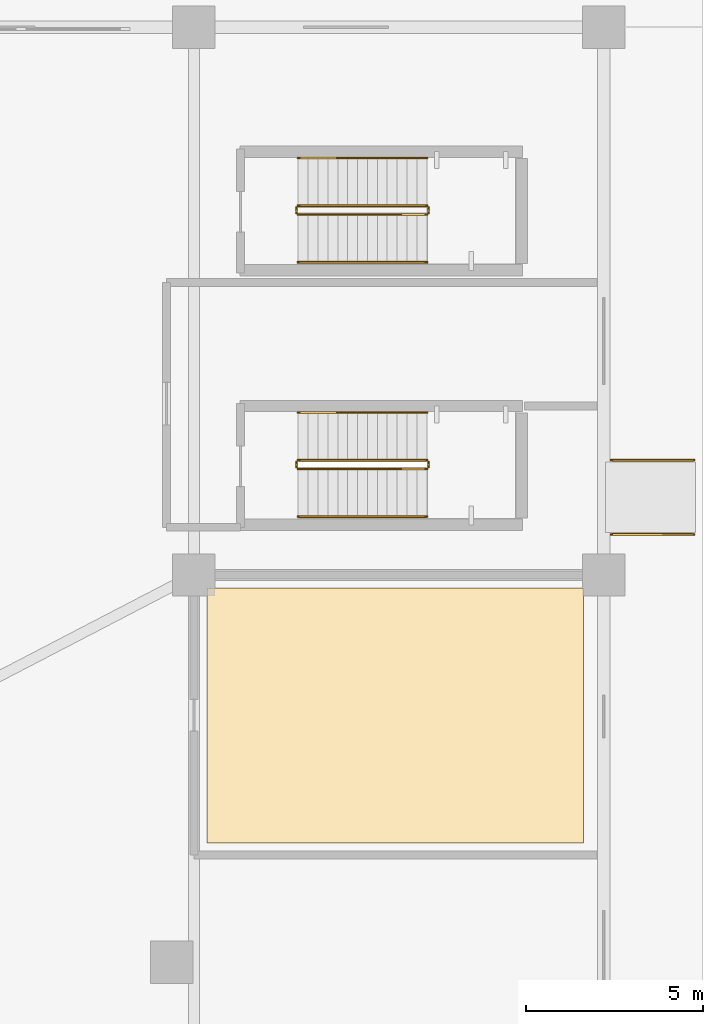
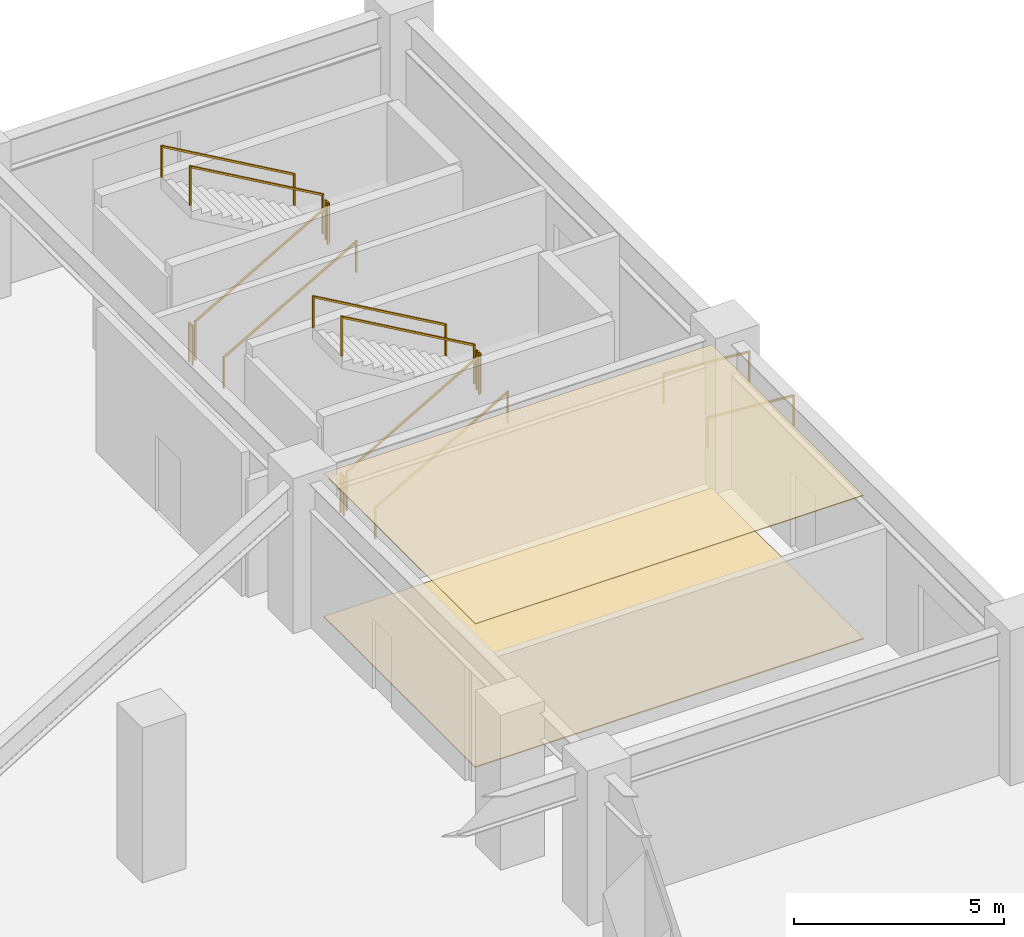
# One storey, part 17 of 18: 14 railings, 2 coverings.
"""IFC4 building model written with IfcOpenShell, lengths in metres."""

import ifcopenshell
import ifcopenshell.guid

model = None  # the IFC model being written
_history = None  # IfcOwnerHistory: only IFC2X3 demands one
_inside = {}  # id of a spatial element -> (the spatial element, [elements in it])
_under = {}  # id of a project, library or spatial element -> (it, [spatial elements below it])
_declared = {}  # id of a project -> (the project, [libraries it declares])
_typed = {}  # id of a type object -> (the type object, [elements of that type])
_made_of = {}  # id of a material, layer set ... -> (it, [elements and type objects made of it])


def new_model(schema):
    """Start an empty IFC model of exactly this schema.

    Asked for "IFC4X3", IfcOpenShell would pick the latest addendum, in which some entities
    have other attributes; the version numbers below select the first issue.
    IFC2X3 requires an IfcOwnerHistory on every rooted entity: one is made here for all.
    """
    global model, _history
    if schema == "IFC4X3":
        model = ifcopenshell.file(schema_version=(4, 3, 0, 0))
    else:
        model = ifcopenshell.file(schema=schema)
    _inside.clear()
    _under.clear()
    _declared.clear()
    _typed.clear()
    _made_of.clear()
    _history = None
    if model.schema == "IFC2X3":
        org = make("IfcOrganization", Name="unknown")
        user = make(
            "IfcPersonAndOrganization",
            ThePerson=make("IfcPerson", FamilyName="unknown"),
            TheOrganization=org,
        )
        app = make(
            "IfcApplication",
            ApplicationDeveloper=org,
            Version="unknown",
            ApplicationFullName="unknown",
            ApplicationIdentifier="unknown",
        )
        _history = make(
            "IfcOwnerHistory",
            OwningUser=user,
            OwningApplication=app,
            ChangeAction="ADDED",
            CreationDate=0,
        )
    return model


def make(cls, **values):
    """One entity of the class cls with the attributes given. An attribute that is None is left unset."""
    return model.create_entity(
        cls, **{name: value for name, value in values.items() if value is not None}
    )


def rooted(cls, **values):
    """An entity with a GlobalId (a new one), such as an element, a storey or a relation."""
    return make(cls, GlobalId=ifcopenshell.guid.new(), OwnerHistory=_history, **values)


def si_unit(unit_type, name, prefix=None):
    """IfcSIUnit, for example si_unit("LENGTHUNIT", "METRE", prefix="MILLI")."""
    return make("IfcSIUnit", UnitType=unit_type, Prefix=prefix, Name=name)


def assignment(units):
    """IfcUnitAssignment: the units of a project."""
    return None if units is None else make("IfcUnitAssignment", Units=units)


def point(xyz):
    """IfcCartesianPoint."""
    return None if xyz is None else make("IfcCartesianPoint", Coordinates=xyz)


def direction(xyz):
    """IfcDirection."""
    return None if xyz is None else make("IfcDirection", DirectionRatios=xyz)


def frame(location, z_axis=None, x_axis=None):
    """IfcAxis2Placement3D, a coordinate frame: its origin and axes. An axis left out is left unset."""
    return make(
        "IfcAxis2Placement3D",
        Location=point(location),
        Axis=direction(z_axis),
        RefDirection=direction(x_axis),
    )


def frame_2d(location, x_axis=None):
    """IfcAxis2Placement2D, a coordinate frame in the plane: its origin and x axis."""
    return make(
        "IfcAxis2Placement2D", Location=point(location), RefDirection=direction(x_axis)
    )


def origin():
    """The frame at (0, 0, 0) with its axes left unset."""
    return frame((0.0, 0.0, 0.0))


def origin_2d():
    """The frame at (0, 0) in the plane with its x axis left unset."""
    return frame_2d((0.0, 0.0))


def place(relative_to, where):
    """IfcLocalPlacement: puts the frame where relative to a parent placement (None: the world)."""
    return make(
        "IfcLocalPlacement", PlacementRelTo=relative_to, RelativePlacement=where
    )


def context(
    kind, dimensions, precision=None, world=None, true_north=None, identifier=None
):
    """IfcGeometricRepresentationContext, for example the 3D "Model" context."""
    return make(
        "IfcGeometricRepresentationContext",
        ContextIdentifier=identifier,
        ContextType=kind,
        CoordinateSpaceDimension=dimensions,
        Precision=precision,
        WorldCoordinateSystem=world,
        TrueNorth=true_north,
    )


def subcontext(parent, identifier, kind, view, scale=None):
    """IfcGeometricRepresentationSubContext, for example "Body" below "Model"."""
    return make(
        "IfcGeometricRepresentationSubContext",
        ContextIdentifier=identifier,
        ContextType=kind,
        ParentContext=parent,
        TargetScale=scale,
        TargetView=view,
    )


def project(units=None, contexts=None):
    """IfcProject with its units and contexts."""
    return rooted(
        "IfcProject",
        Name="project",
        RepresentationContexts=contexts,
        UnitsInContext=assignment(units),
    )


def spatial(cls, under=None, at=None, **own):
    """A site, building, storey or space (cls), placed at a placement, below another one or the project."""
    s = rooted(cls, ObjectPlacement=at, **own)
    if under is not None:
        _under.setdefault(under.id(), (under, []))[1].append(s)
    return s


def polyline(points):
    """IfcPolyline through the points."""
    return make("IfcPolyline", Points=[point(p) for p in points])


def profile(cls, at=None, kind="AREA", **sizes):
    """A parametric profile (cls). Its sizes go by their IFC names, for example OverallWidth=200.0."""
    return make(cls, ProfileType=kind, Position=at, **sizes)


def rectangle(**sizes):
    """IfcRectangleProfileDef."""
    return profile("IfcRectangleProfileDef", **sizes)


def outline(outer, holes=None, kind="AREA"):
    """IfcArbitraryClosedProfileDef: a profile drawn as a closed curve; with holes, ...WithVoids."""
    if holes is None:
        return make("IfcArbitraryClosedProfileDef", ProfileType=kind, OuterCurve=outer)
    return make(
        "IfcArbitraryProfileDefWithVoids",
        ProfileType=kind,
        OuterCurve=outer,
        InnerCurves=holes,
    )


def extrude(swept, where, along, depth):
    """IfcExtrudedAreaSolid: the profile swept, set in the frame where, extruded along a direction by depth."""
    return make(
        "IfcExtrudedAreaSolid",
        SweptArea=swept,
        Position=where,
        ExtrudedDirection=direction(along),
        Depth=depth,
    )


def shape(context_of_items, identifier, shape_type, items):
    """IfcShapeRepresentation: the items that make up one representation, for example the "Body"."""
    return make(
        "IfcShapeRepresentation",
        ContextOfItems=context_of_items,
        RepresentationIdentifier=identifier,
        RepresentationType=shape_type,
        Items=items,
    )


def material(Name=None, Category=None):
    """IfcMaterial."""
    return make("IfcMaterial", Name=Name, Category=Category)


def layer(
    of_material, thickness, ventilated=None, Name=None, Category=None, Priority=None
):
    """IfcMaterialLayer: one layer of a wall or slab, of a material (None: an air gap)."""
    return make(
        "IfcMaterialLayer",
        Material=of_material,
        LayerThickness=thickness,
        IsVentilated=ventilated,
        Name=Name,
        Category=Category,
        Priority=Priority,
    )


def layer_set(layers, Name=None):
    """IfcMaterialLayerSet."""
    return make("IfcMaterialLayerSet", MaterialLayers=layers, LayerSetName=Name)


def made_of(thing, what):
    """Note that an element or type object is made of a material, layer set ...; save() writes the relation."""
    if what is not None:
        _made_of.setdefault(what.id(), (what, []))[1].append(thing)
    return thing


def type_object(cls, material=None, **own):
    """A type object (cls), such as IfcWallType, which elements share."""
    return made_of(rooted(cls, **own), material)


def element(
    cls,
    number,
    at=None,
    inside=None,
    cuts=None,
    type_object=None,
    material=None,
    context=None,
    identifier="Body",
    shape_type=None,
    held_by="IfcProductDefinitionShape",
    body=None,
    shapes=None,
    **own,
):
    """One element of the class cls, such as IfcWall. Its Tag is "e" and its number.

    at: its placement. inside: the storey or other place that contains it. cuts: it is an
    opening in that element (IfcRelVoidsElement). A single representation is given by context,
    identifier, shape_type and body (its items); several are given by shapes. held_by: the class
    of the entity that holds the representations. save() writes the other relations.
    """
    e = rooted(cls, Tag="e%d" % number, ObjectPlacement=at, **own)
    if body is not None:
        shapes = [shape(context, identifier, shape_type, body)]
    if shapes is not None:
        e.Representation = make(held_by, Representations=shapes)
    if inside is not None:
        _inside.setdefault(inside.id(), (inside, []))[1].append(e)
    if cuts is not None:
        rooted(
            "IfcRelVoidsElement", RelatingBuildingElement=cuts, RelatedOpeningElement=e
        )
    if type_object is not None:
        _typed.setdefault(type_object.id(), (type_object, []))[1].append(e)
    return made_of(e, material)


def aggregate(whole, parts):
    """IfcRelAggregates: a whole, such as a stair, and the parts it consists of."""
    return rooted("IfcRelAggregates", RelatingObject=whole, RelatedObjects=parts)


def save(model, path):
    """Write the relations noted so far, then the file.

    IfcRelAggregates (storeys below a building ...), IfcRelContainedInSpatialStructure (elements
    in a storey), IfcRelDefinesByType, IfcRelAssociatesMaterial and IfcRelDeclares: one each for
    every whole, place, type object, material and project.
    """
    for whole, parts in _under.values():
        aggregate(whole, parts)
    for where, things in _inside.values():
        rooted(
            "IfcRelContainedInSpatialStructure",
            RelatedElements=things,
            RelatingStructure=where,
        )
    for kind, things in _typed.values():
        rooted("IfcRelDefinesByType", RelatedObjects=things, RelatingType=kind)
    for what, things in _made_of.values():
        rooted("IfcRelAssociatesMaterial", RelatedObjects=things, RelatingMaterial=what)
    for by, libraries in _declared.values():
        rooted("IfcRelDeclares", RelatingContext=by, RelatedDefinitions=libraries)
    model.write(path)


model = new_model("IFC4")

# Units and contexts
model_context = context("Model", 3, precision=1e-05, world=origin(), true_north=direction((0.0, 1.0)))
body_context = subcontext(model_context, "Body", "Model", "MODEL_VIEW")
ifc_project = project(units=[si_unit("LENGTHUNIT", "METRE"), si_unit("AREAUNIT", "SQUARE_METRE"), si_unit("VOLUMEUNIT", "CUBIC_METRE"), si_unit("PLANEANGLEUNIT", "RADIAN"), si_unit("MASSUNIT", "GRAM", prefix="KILO")], contexts=[model_context])

# Site, building, storey
site_placement = place(None, origin())
site = spatial("IfcSite", under=ifc_project, at=site_placement, CompositionType="ELEMENT")
building_placement = place(site_placement, origin())
building = spatial("IfcBuilding", under=site, at=building_placement, Name="Yunling Apex Tower", CompositionType="ELEMENT")
storey_placement = place(building_placement, origin())
storey = spatial("IfcBuildingStorey", under=building, at=storey_placement, Name="L01", CompositionType="ELEMENT", Elevation=0.0)

# Coverings
ifc_material_1 = material(Name="Acoustic mineral fibre ceiling")
ifc_layer_1 = layer(ifc_material_1, 0.02490234375)
ifc_layer_set_1 = layer_set([ifc_layer_1], Name="Acoustic mineral fibre ceiling")
covering_type_1 = type_object("IfcCoveringType", Name="CV-CLG-1", PredefinedType="CEILING", material=ifc_layer_set_1)
covering_1_placement = place(storey_placement, frame((0.0, 0.0, 4.1650390625)))
element("IfcCovering", 1, at=covering_1_placement, inside=storey, type_object=covering_type_1, Name="CV-CL-SP-L01-FCC", PredefinedType="CEILING", context=body_context, shape_type="SweptSolid", body=[
    extrude(outline(polyline([(33.429931640625, 6.419921875), (22.77001953125, 6.419921875), (22.77001953125, 13.6298828125), (33.429931640625, 13.6298828125), (33.429931640625, 6.419921875)])), origin(), (0.0, 0.0, 1.0), 0.02490234375),
])
ifc_material_2 = material(Name="Polished granite stone", Category="masonry")
ifc_layer_2 = layer(ifc_material_2, 0.030029296875)
ifc_layer_set_2 = layer_set([ifc_layer_2], Name="Polished granite stone")
covering_type_2 = type_object("IfcCoveringType", Name="CV-FLR-1", PredefinedType="FLOORING", material=ifc_layer_set_2)
covering_2_placement = place(storey_placement, origin())
element("IfcCovering", 2, at=covering_2_placement, inside=storey, type_object=covering_type_2, Name="CV-FL-SP-L01-FCC", PredefinedType="FLOORING", context=body_context, shape_type="SweptSolid", body=[
    extrude(outline(polyline([(33.429931640625, 6.419921875), (22.77001953125, 6.419921875), (22.77001953125, 13.6298828125), (33.429931640625, 13.6298828125), (33.429931640625, 6.419921875)])), origin(), (0.0, 0.0, 1.0), 0.030029296875),
])

# Railings
ifc_material_3 = material(Name="Steel Q355B", Category="steel")
railing_type_1 = type_object("IfcRailingType", Name="RL-GRD-1150", PredefinedType="GUARDRAIL", material=ifc_material_3)
railing_1_placement = place(storey_placement, frame((25.35009765625, 17.0, 0.16064453125)))
element("IfcRailing", 3, at=railing_1_placement, inside=storey, type_object=railing_type_1, Name="L01 ST-P2 stair guard 1", PredefinedType="GUARDRAIL", context=body_context, shape_type="SweptSolid", body=[
    extrude(rectangle(XDim=0.0439453125, YDim=0.0439453125, at=origin_2d()), origin(), (0.0, 0.0, 1.0), 1.14990234375),
    extrude(rectangle(XDim=0.0439453125, YDim=0.0439453125, at=origin_2d()), frame((3.639892578125, 0.0, 2.08935546875)), (0.0, 0.0, 1.0), 1.14990234375),
    extrude(rectangle(XDim=0.050048828125, YDim=0.050048828125, at=origin_2d()), frame((0.033203125, 0.0, 1.14404296875), z_axis=(0.8672749571, 0.0, 0.497829437445), x_axis=(0.0, 1.0, 0.0)), (0.0, 0.0, 1.0), 4.120361328125),
])
railing_2_placement = place(storey_placement, frame((29.0400390625, 17.050048828125, 2.25)))
element("IfcRailing", 4, at=railing_2_placement, inside=storey, type_object=railing_type_1, Name="L01 ST-P2 stair guard 2", PredefinedType="GUARDRAIL", context=body_context, shape_type="SweptSolid", body=[
    extrude(rectangle(XDim=0.0439453125, YDim=0.0439453125, at=origin_2d()), origin(), (0.0, 0.0, 1.0), 1.14990234375),
    extrude(rectangle(XDim=0.0439453125, YDim=0.0439453125, at=origin_2d()), frame((0.0, 0.14990234375, 0.0)), (0.0, 0.0, 1.0), 1.14990234375),
    extrude(rectangle(XDim=0.050048828125, YDim=0.050048828125, at=origin_2d()), frame((0.0, 0.038330078125, 1.125), z_axis=(0.0, 1.0, 0.0), x_axis=(-1.0, 0.0, 0.0)), (0.0, 0.0, 1.0), 0.0732421875),
])
railing_3_placement = place(storey_placement, frame((28.989990234375, 17.25, 2.41064453125)))
element("IfcRailing", 5, at=railing_3_placement, inside=storey, type_object=railing_type_1, Name="L01 ST-P2 stair guard 3", PredefinedType="GUARDRAIL", context=body_context, shape_type="SweptSolid", body=[
    extrude(rectangle(XDim=0.0439453125, YDim=0.0439453125, at=origin_2d()), origin(), (0.0, 0.0, 1.0), 1.14990234375),
    extrude(rectangle(XDim=0.0439453125, YDim=0.0439453125, at=origin_2d()), frame((-3.639892578125, 0.0, 2.08935546875)), (0.0, 0.0, 1.0), 1.14990234375),
    extrude(rectangle(XDim=0.050048828125, YDim=0.050048828125, at=origin_2d()), frame((-0.033203125, 0.0, 1.14404296875), z_axis=(-0.8672749571, 0.0, 0.497829437445), x_axis=(0.0, -1.0, 0.0)), (0.0, 0.0, 1.0), 4.120361328125),
])
railing_4_placement = place(storey_placement, frame((25.300048828125, 17.050048828125, 0.0)))
element("IfcRailing", 6, at=railing_4_placement, inside=storey, type_object=railing_type_1, Name="L01 ST-P2 stair guard 4", PredefinedType="GUARDRAIL", context=body_context, shape_type="SweptSolid", body=[
    extrude(rectangle(XDim=0.0439453125, YDim=0.0439453125, at=origin_2d()), origin(), (0.0, 0.0, 1.0), 1.14990234375),
    extrude(rectangle(XDim=0.0439453125, YDim=0.0439453125, at=origin_2d()), frame((0.0, 0.14990234375, 0.0)), (0.0, 0.0, 1.0), 1.14990234375),
    extrude(rectangle(XDim=0.050048828125, YDim=0.050048828125, at=origin_2d()), frame((0.0, 0.038330078125, 1.125), z_axis=(0.0, 1.0, 0.0), x_axis=(-1.0, 0.0, 0.0)), (0.0, 0.0, 1.0), 0.0732421875),
])
railing_5_placement = place(storey_placement, frame((25.35009765625, 24.199951171875, 0.16064453125)))
element("IfcRailing", 7, at=railing_5_placement, inside=storey, type_object=railing_type_1, Name="L01 ST-G2 stair guard 1", PredefinedType="GUARDRAIL", context=body_context, shape_type="SweptSolid", body=[
    extrude(rectangle(XDim=0.0439453125, YDim=0.0439453125, at=origin_2d()), origin(), (0.0, 0.0, 1.0), 1.14990234375),
    extrude(rectangle(XDim=0.0439453125, YDim=0.0439453125, at=origin_2d()), frame((3.639892578125, 0.0, 2.08935546875)), (0.0, 0.0, 1.0), 1.14990234375),
    extrude(rectangle(XDim=0.050048828125, YDim=0.050048828125, at=origin_2d()), frame((0.033203125, 0.0, 1.14404296875), z_axis=(0.8672749571, 0.0, 0.497829437445), x_axis=(0.0, 1.0, 0.0)), (0.0, 0.0, 1.0), 4.120361328125),
])
railing_6_placement = place(storey_placement, frame((29.0400390625, 24.25, 2.25)))
element("IfcRailing", 8, at=railing_6_placement, inside=storey, type_object=railing_type_1, Name="L01 ST-G2 stair guard 2", PredefinedType="GUARDRAIL", context=body_context, shape_type="SweptSolid", body=[
    extrude(rectangle(XDim=0.0439453125, YDim=0.0439453125, at=origin_2d()), origin(), (0.0, 0.0, 1.0), 1.14990234375),
    extrude(rectangle(XDim=0.0439453125, YDim=0.0439453125, at=origin_2d()), frame((0.0, 0.14990234375, 0.0)), (0.0, 0.0, 1.0), 1.14990234375),
    extrude(rectangle(XDim=0.050048828125, YDim=0.050048828125, at=origin_2d()), frame((0.0, 0.038330078125, 1.125), z_axis=(0.0, 1.0, 0.0), x_axis=(-1.0, 0.0, 0.0)), (0.0, 0.0, 1.0), 0.0732421875),
])
railing_7_placement = place(storey_placement, frame((28.989990234375, 24.449951171875, 2.41064453125)))
element("IfcRailing", 9, at=railing_7_placement, inside=storey, type_object=railing_type_1, Name="L01 ST-G2 stair guard 3", PredefinedType="GUARDRAIL", context=body_context, shape_type="SweptSolid", body=[
    extrude(rectangle(XDim=0.0439453125, YDim=0.0439453125, at=origin_2d()), origin(), (0.0, 0.0, 1.0), 1.14990234375),
    extrude(rectangle(XDim=0.0439453125, YDim=0.0439453125, at=origin_2d()), frame((-3.639892578125, 0.0, 2.08935546875)), (0.0, 0.0, 1.0), 1.14990234375),
    extrude(rectangle(XDim=0.050048828125, YDim=0.050048828125, at=origin_2d()), frame((-0.033203125, 0.0, 1.14404296875), z_axis=(-0.8672749571, 0.0, 0.497829437445), x_axis=(0.0, -1.0, 0.0)), (0.0, 0.0, 1.0), 4.120361328125),
])
railing_8_placement = place(storey_placement, frame((25.300048828125, 24.25, 0.0)))
element("IfcRailing", 10, at=railing_8_placement, inside=storey, type_object=railing_type_1, Name="L01 ST-G2 stair guard 4", PredefinedType="GUARDRAIL", context=body_context, shape_type="SweptSolid", body=[
    extrude(rectangle(XDim=0.0439453125, YDim=0.0439453125, at=origin_2d()), origin(), (0.0, 0.0, 1.0), 1.14990234375),
    extrude(rectangle(XDim=0.0439453125, YDim=0.0439453125, at=origin_2d()), frame((0.0, 0.14990234375, 0.0)), (0.0, 0.0, 1.0), 1.14990234375),
    extrude(rectangle(XDim=0.050048828125, YDim=0.050048828125, at=origin_2d()), frame((0.0, 0.038330078125, 1.125), z_axis=(0.0, 1.0, 0.0), x_axis=(-1.0, 0.0, 0.0)), (0.0, 0.0, 1.0), 0.0732421875),
])
ifc_material_4 = material(Name="Silver anodised aluminium", Category="aluminium")
railing_type_2 = type_object("IfcRailingType", Name="RL-HND-900", PredefinedType="HANDRAIL", material=ifc_material_4)
for number, where, name in (
    (11, (34.199951171875, 15.14990234375, 0.0), "RL-ACC-1"),
    (12, (34.199951171875, 17.25, 0.0), "RL-ACC-2"),
):
    element("IfcRailing", number, at=place(storey_placement, frame(where)), inside=storey, type_object=railing_type_2, Name=name, PredefinedType="HANDRAIL", context=body_context, shape_type="SweptSolid", body=[
        extrude(rectangle(XDim=0.0439453125, YDim=0.0439453125, at=origin_2d()), origin(), (0.0, 0.0, 1.0), 0.89990234375),
        extrude(rectangle(XDim=0.0439453125, YDim=0.0439453125, at=origin_2d()), frame((2.35009765625, 0.0, -0.179931640625)), (0.0, 0.0, 1.0), 0.89990234375),
        extrude(rectangle(XDim=0.050048828125, YDim=0.050048828125, at=origin_2d()), frame((0.038330078125, 0.0, 0.8720703125), z_axis=(0.997081840594, 0.0, -0.076340049503), x_axis=(0.0, 1.0, 0.0)), (0.0, 0.0, 1.0), 2.2802734375),
    ])
railing_9_placement = place(storey_placement, frame((25.35009765625, 15.64990234375, 0.16064453125)))
element("IfcRailing", 13, at=railing_9_placement, inside=storey, type_object=railing_type_2, Name="L01 ST-P2 stair handrail 1", PredefinedType="HANDRAIL", context=body_context, shape_type="SweptSolid", body=[
    extrude(rectangle(XDim=0.0439453125, YDim=0.0439453125, at=origin_2d()), origin(), (0.0, 0.0, 1.0), 0.919921875),
    extrude(rectangle(XDim=0.0439453125, YDim=0.0439453125, at=origin_2d()), frame((3.639892578125, 0.0, 2.08935546875)), (0.0, 0.0, 1.0), 0.919921875),
    extrude(rectangle(XDim=0.050048828125, YDim=0.050048828125, at=origin_2d()), frame((0.033203125, 0.0, 0.9140625), z_axis=(0.8672749571, 0.0, 0.497829437445), x_axis=(0.0, 1.0, 0.0)), (0.0, 0.0, 1.0), 4.120361328125),
])
railing_10_placement = place(storey_placement, frame((28.989990234375, 18.60009765625, 2.41064453125)))
element("IfcRailing", 14, at=railing_10_placement, inside=storey, type_object=railing_type_2, Name="L01 ST-P2 stair handrail 2", PredefinedType="HANDRAIL", context=body_context, shape_type="SweptSolid", body=[
    extrude(rectangle(XDim=0.0439453125, YDim=0.0439453125, at=origin_2d()), origin(), (0.0, 0.0, 1.0), 0.919921875),
    extrude(rectangle(XDim=0.0439453125, YDim=0.0439453125, at=origin_2d()), frame((-3.639892578125, 0.0, 2.08935546875)), (0.0, 0.0, 1.0), 0.919921875),
    extrude(rectangle(XDim=0.050048828125, YDim=0.050048828125, at=origin_2d()), frame((-0.033203125, 0.0, 0.9140625), z_axis=(-0.8672749571, 0.0, 0.497829437445), x_axis=(0.0, -1.0, 0.0)), (0.0, 0.0, 1.0), 4.120361328125),
])
railing_11_placement = place(storey_placement, frame((25.35009765625, 22.85009765625, 0.16064453125)))
element("IfcRailing", 15, at=railing_11_placement, inside=storey, type_object=railing_type_2, Name="L01 ST-G2 stair handrail 1", PredefinedType="HANDRAIL", context=body_context, shape_type="SweptSolid", body=[
    extrude(rectangle(XDim=0.0439453125, YDim=0.0439453125, at=origin_2d()), origin(), (0.0, 0.0, 1.0), 0.919921875),
    extrude(rectangle(XDim=0.0439453125, YDim=0.0439453125, at=origin_2d()), frame((3.639892578125, 0.0, 2.08935546875)), (0.0, 0.0, 1.0), 0.919921875),
    extrude(rectangle(XDim=0.050048828125, YDim=0.050048828125, at=origin_2d()), frame((0.033203125, 0.0, 0.9140625), z_axis=(0.8672749571, 0.0, 0.497829437445), x_axis=(0.0, 1.0, 0.0)), (0.0, 0.0, 1.0), 4.120361328125),
])
railing_12_placement = place(storey_placement, frame((28.989990234375, 25.800048828125, 2.41064453125)))
element("IfcRailing", 16, at=railing_12_placement, inside=storey, type_object=railing_type_2, Name="L01 ST-G2 stair handrail 2", PredefinedType="HANDRAIL", context=body_context, shape_type="SweptSolid", body=[
    extrude(rectangle(XDim=0.0439453125, YDim=0.0439453125, at=origin_2d()), origin(), (0.0, 0.0, 1.0), 0.919921875),
    extrude(rectangle(XDim=0.0439453125, YDim=0.0439453125, at=origin_2d()), frame((-3.639892578125, 0.0, 2.08935546875)), (0.0, 0.0, 1.0), 0.919921875),
    extrude(rectangle(XDim=0.050048828125, YDim=0.050048828125, at=origin_2d()), frame((-0.033203125, 0.0, 0.9140625), z_axis=(-0.8672749571, 0.0, 0.497829437445), x_axis=(0.0, -1.0, 0.0)), (0.0, 0.0, 1.0), 4.120361328125),
])

save(model, "model.ifc")
